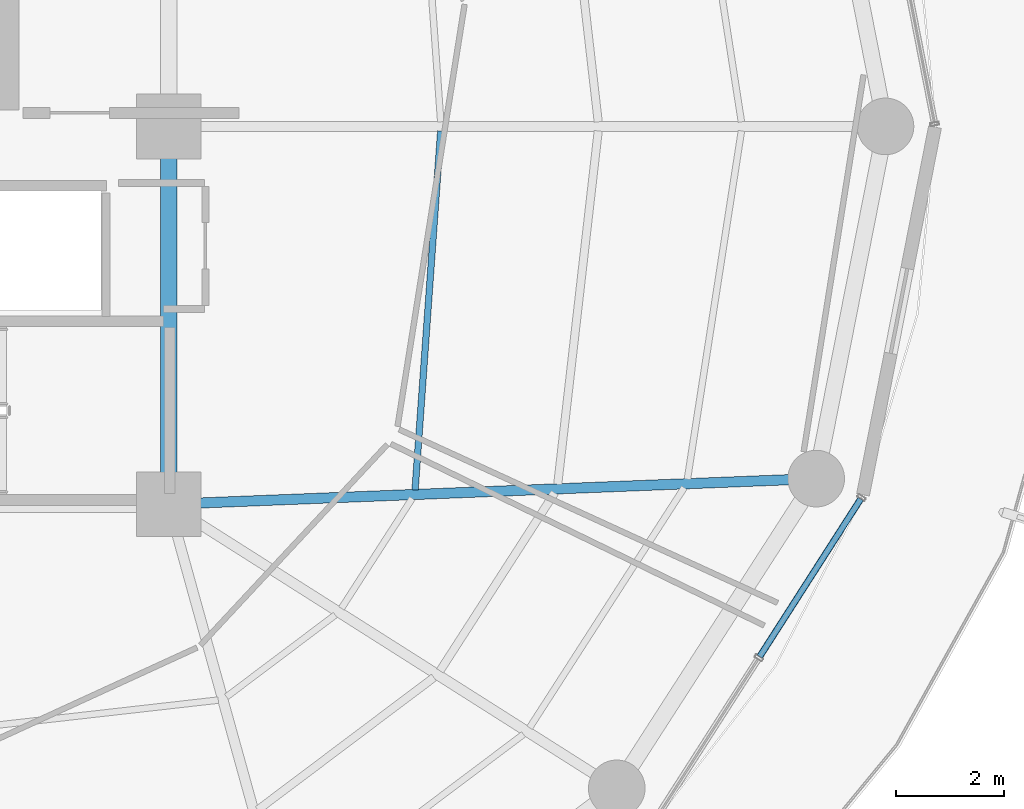
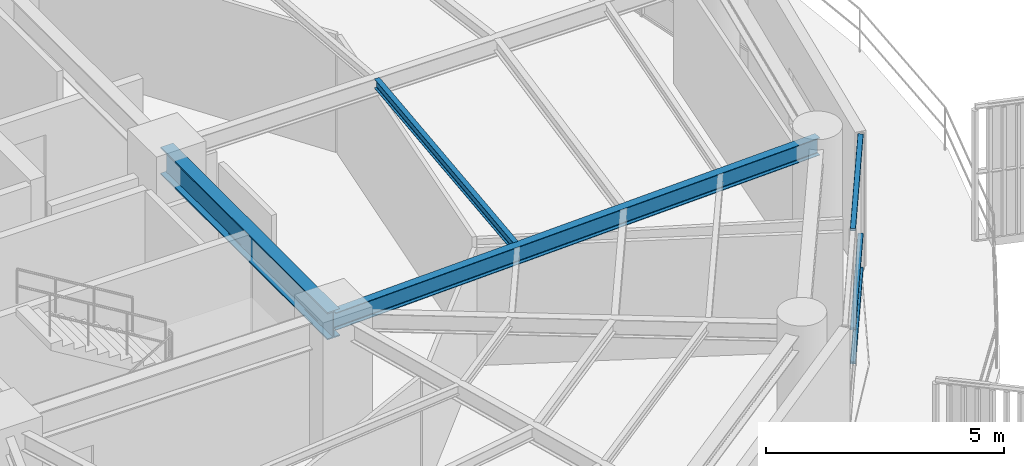
# One storey, part 12 of 30: 3 beams, 3 members, 1 element without a shape of its own.
"""IFC4 building model written with IfcOpenShell, lengths in metres."""

from ifc_helpers import new_model, si_unit, direction, frame, origin, origin_2d, place, context, subcontext, project, spatial, hollow_rectangle, i_section, extrude, material, layer, layer_set, material_profile, profile_set, type_object, element, aggregate, save


model = new_model("IFC4")

# Units and contexts
model_context = context("Model", 3, precision=1e-05, world=origin(), true_north=direction((0.0, 1.0)))
body_context = subcontext(model_context, "Body", "Model", "MODEL_VIEW")
ifc_project = project(units=[si_unit("LENGTHUNIT", "METRE"), si_unit("AREAUNIT", "SQUARE_METRE"), si_unit("VOLUMEUNIT", "CUBIC_METRE"), si_unit("PLANEANGLEUNIT", "RADIAN"), si_unit("MASSUNIT", "GRAM", prefix="KILO")], contexts=[model_context])

# Site, building, storey
site_placement = place(None, origin())
site = spatial("IfcSite", under=ifc_project, at=site_placement, CompositionType="ELEMENT")
building_placement = place(site_placement, origin())
building = spatial("IfcBuilding", under=site, at=building_placement, Name="Kelanora Arch Commons", CompositionType="ELEMENT")
storey_placement = place(building_placement, frame((0.0, 0.0, 215.699951171875)))
storey = spatial("IfcBuildingStorey", under=building, at=storey_placement, Name="L55", CompositionType="ELEMENT", Elevation=215.699951171875)

# Beams
ifc_material_1 = material(Name="Steel S355", Category="steel")
ifc_material_profile_1 = material_profile(ifc_material_1, i_section(OverallWidth=0.300048828125, OverallDepth=0.699951171875, WebThickness=0.01708984375, FlangeThickness=0.031982421875, FilletRadius=0.027099609375, at=origin_2d()), Name="HEB700")
ifc_profile_set_1 = profile_set([ifc_material_profile_1], Name="Steel S355")
beam_type_1 = type_object("IfcBeamType", Name="BM-CORE-HDR", PredefinedType="BEAM", material=ifc_profile_set_1)
beam_1_placement = place(storey_placement, frame((82.0, 51.0, 3.14013671875), z_axis=(0.0, 1.0, 0.0), x_axis=(-1.0, 0.0, 0.0)))
element("IfcBeam", 1, at=beam_1_placement, inside=storey, type_object=beam_type_1, Name="Core Header Beam 03 L55", PredefinedType="BEAM", context=body_context, shape_type="SweptSolid", body=[
    extrude(i_section(OverallWidth=0.300048828125, OverallDepth=0.699951171875, WebThickness=0.01708984375, FlangeThickness=0.031982421875, FilletRadius=0.027099609375, at=origin_2d()), origin(), (0.0, 0.0, 1.0), 7.0),
])
ifc_material_profile_2 = material_profile(ifc_material_1, i_section(OverallWidth=0.1201171875, OverallDepth=0.239990234375, WebThickness=0.006103515625, FlangeThickness=0.009765625, FilletRadius=0.014892578125, at=origin_2d()), Name="IPE240")
ifc_profile_set_2 = profile_set([ifc_material_profile_2], Name="Steel S355")
beam_type_2 = type_object("IfcBeamType", Name="BM-JST-02", PredefinedType="JOIST", material=ifc_profile_set_2)
beam_2_placement = place(storey_placement, frame((86.564697265625, 51.264892578125, 3.3701171875), z_axis=(0.07133032136, 0.997452748382, 0.0), x_axis=(-0.997452748382, 0.07133032136, 0.0)))
element("IfcBeam", 2, at=beam_2_placement, inside=storey, type_object=beam_type_2, Name="Secondary Chord Joist BJA-34 L55", PredefinedType="JOIST", context=body_context, shape_type="SweptSolid", body=[
    extrude(i_section(OverallWidth=0.1201171875, OverallDepth=0.239990234375, WebThickness=0.006103515625, FlangeThickness=0.009765625, FilletRadius=0.014892578125, at=origin_2d()), origin(), (0.0, 0.0, 1.0), 6.66748046875),
])
ifc_material_profile_3 = material_profile(ifc_material_1, i_section(OverallWidth=0.18994140625, OverallDepth=0.449951171875, WebThickness=0.009521484375, FlangeThickness=0.0146484375, FilletRadius=0.02099609375, at=origin_2d()), Name="IPE450")
ifc_profile_set_3 = profile_set([ifc_material_profile_3], Name="Steel S355")
beam_type_3 = type_object("IfcBeamType", Name="BM-RAD-Z4", PredefinedType="BEAM", material=ifc_profile_set_3)
beam_3_placement = place(storey_placement, frame((82.0, 51.0, 3.26513671875), z_axis=(0.999219142585, 0.03951082246, 0.0), x_axis=(-0.03951082246, 0.999219142585, 0.0)))
element("IfcBeam", 3, at=beam_3_placement, inside=storey, type_object=beam_type_3, Name="Radial Floor Girder BR-34 L55", PredefinedType="BEAM", context=body_context, shape_type="SweptSolid", body=[
    extrude(i_section(OverallWidth=0.18994140625, OverallDepth=0.449951171875, WebThickness=0.009521484375, FlangeThickness=0.0146484375, FilletRadius=0.02099609375, at=origin_2d()), origin(), (0.0, 0.0, 1.0), 12.005859375),
])

# Curtain wall, members
ifc_material_2 = material(Name="Terracotta ceramic-fritted low-E glass and aluminium", Category="masonry")
ifc_layer = layer(ifc_material_2, 0.175048828125)
ifc_layer_set = layer_set([ifc_layer], Name="Terracotta ceramic-fritted low-E glass and aluminium")
curtain_wall_type = type_object("IfcCurtainWallType", Name="CW-SYS-02", PredefinedType="NOTDEFINED", material=ifc_layer_set)
curtain_wall_placement = place(storey_placement, origin())
curtain_wall = element("IfcCurtainWall", 4, at=curtain_wall_placement, inside=storey, type_object=curtain_wall_type, Name="Unitised Curtain Wall L55-B16", PredefinedType="NOTDEFINED")
ifc_material_3 = material(Name="Powder-coated aluminium terracotta", Category="masonry")
ifc_material_profile_4 = material_profile(ifc_material_3, hollow_rectangle(XDim=0.1201171875, YDim=0.06005859375, WallThickness=0.0048828125, InnerFilletRadius=0.0048828125, OuterFilletRadius=0.010009765625, at=origin_2d()), Name="CWT120x60")
ifc_profile_set_4 = profile_set([ifc_material_profile_4], Name="Powder-coated aluminium terracotta")
member_type = type_object("IfcMemberType", Name="CWT-STD", PredefinedType="USERDEFINED", material=ifc_profile_set_4)
member_1_placement = place(storey_placement, frame((92.949951171875, 48.17724609375, 0.030029296875), z_axis=(0.539579095642, 0.84193491408, 0.0), x_axis=(-0.84193491408, 0.539579095642, 0.0)))
member_1 = element("IfcMember", 5, at=member_1_placement, type_object=member_type, Name="CW-02 transom 2.1", ObjectType="TRANSOM", PredefinedType="USERDEFINED", context=body_context, shape_type="SweptSolid", body=[
    extrude(hollow_rectangle(XDim=0.1201171875, YDim=0.06005859375, WallThickness=0.0048828125, InnerFilletRadius=0.0048828125, OuterFilletRadius=0.010009765625, at=origin_2d()), origin(), (0.0, 0.0, 1.0), 3.46728515625),
])
member_2_placement = place(storey_placement, frame((92.949951171875, 48.17724609375, 0.900146484375), z_axis=(0.539579095642, 0.84193491408, 0.0), x_axis=(-0.84193491408, 0.539579095642, 0.0)))
member_2 = element("IfcMember", 6, at=member_2_placement, type_object=member_type, Name="CW-02 transom 2.2", ObjectType="TRANSOM", PredefinedType="USERDEFINED", context=body_context, shape_type="SweptSolid", body=[
    extrude(hollow_rectangle(XDim=0.1201171875, YDim=0.06005859375, WallThickness=0.0048828125, InnerFilletRadius=0.0048828125, OuterFilletRadius=0.010009765625, at=origin_2d()), origin(), (0.0, 0.0, 1.0), 3.46728515625),
])
member_3_placement = place(storey_placement, frame((92.949951171875, 48.17724609375, 3.445068359375), z_axis=(0.539579095642, 0.84193491408, 0.0), x_axis=(-0.84193491408, 0.539579095642, 0.0)))
member_3 = element("IfcMember", 7, at=member_3_placement, type_object=member_type, Name="CW-02 transom 2.3", ObjectType="TRANSOM", PredefinedType="USERDEFINED", context=body_context, shape_type="SweptSolid", body=[
    extrude(hollow_rectangle(XDim=0.1201171875, YDim=0.06005859375, WallThickness=0.0048828125, InnerFilletRadius=0.0048828125, OuterFilletRadius=0.010009765625, at=origin_2d()), origin(), (0.0, 0.0, 1.0), 3.46728515625),
])
aggregate(curtain_wall, [member_1, member_2, member_3])

save(model, "model.ifc")
